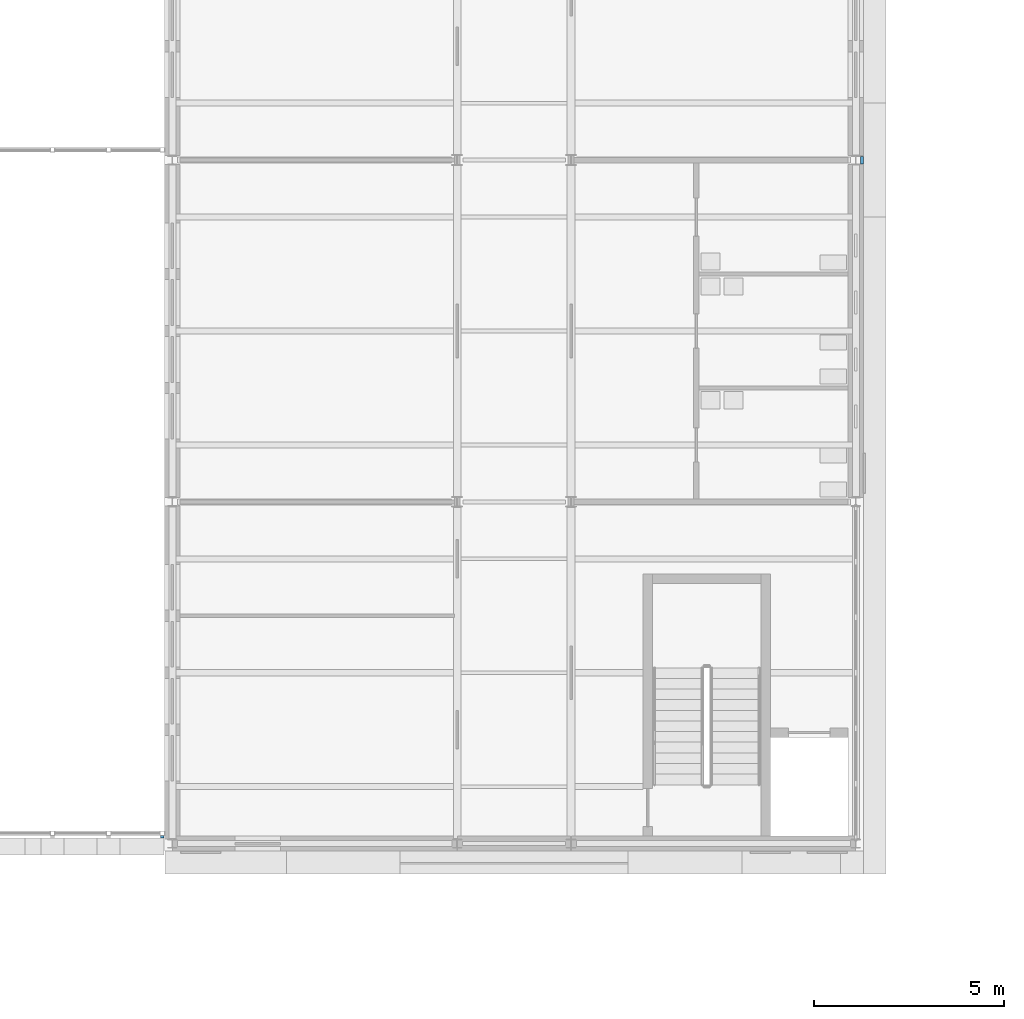
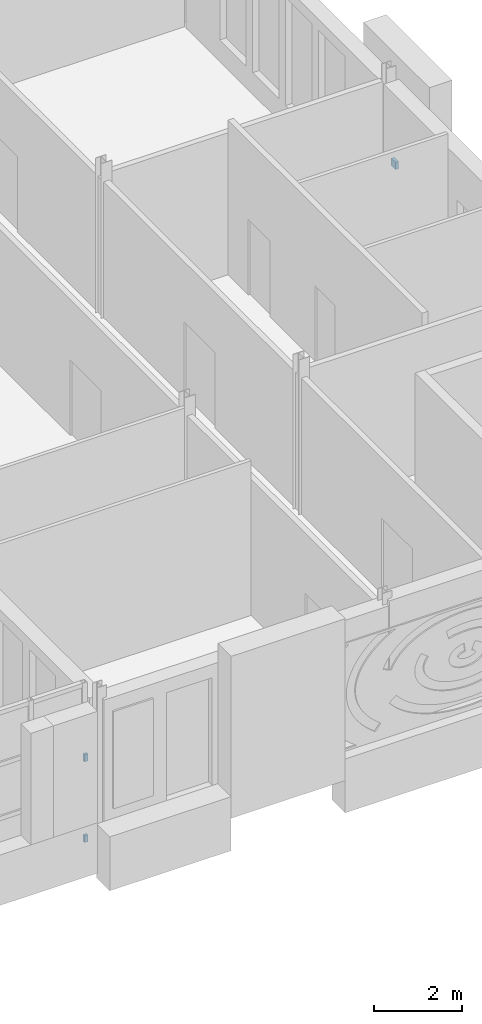
# One storey, part 102 of 131: 3 discrete accessories.
"""IFC4 building model written with IfcOpenShell, lengths in metres."""

from ifc_helpers import new_model, si_unit, direction, frame, origin, origin_2d, place, context, subcontext, project, spatial, rectangle, extrude, material, type_object, element, save


model = new_model("IFC4")

# Units and contexts
model_context = context("Model", 3, precision=1e-05, world=origin(), true_north=direction((0.0, 1.0)))
body_context = subcontext(model_context, "Body", "Model", "MODEL_VIEW")
ifc_project = project(units=[si_unit("LENGTHUNIT", "METRE"), si_unit("AREAUNIT", "SQUARE_METRE"), si_unit("VOLUMEUNIT", "CUBIC_METRE"), si_unit("PLANEANGLEUNIT", "RADIAN"), si_unit("MASSUNIT", "GRAM", prefix="KILO")], contexts=[model_context])

# Site, building, storey
site_placement = place(None, origin())
site = spatial("IfcSite", under=ifc_project, at=site_placement, CompositionType="ELEMENT")
building_placement = place(site_placement, origin())
building = spatial("IfcBuilding", under=site, at=building_placement, Name="Golden Quay Civic Hall", CompositionType="ELEMENT")
storey_placement = place(building_placement, frame((0.0, 0.0, 9.89990234375)))
storey = spatial("IfcBuildingStorey", under=building, at=storey_placement, Name="L02", CompositionType="ELEMENT", Elevation=9.89990234375)

# Discrete accessories
ifc_material_1 = material(Name="Steel S355", Category="steel")
discrete_accessory_type_1 = type_object("IfcDiscreteAccessoryType", Name="Hall screen bracket 100 x 200", PredefinedType="BRACKET", material=ifc_material_1)
for number, where, z_axis, x_axis, name in (
    (1, (98.735107421875, 0.179931640625, -0.10009765625), (0.0, 0.0, 1.0), (1.0, 0.0, 0.0), "Hall screen bracket 18"),
    (2, (98.735107421875, 0.179931640625, 2.14990234375), (0.0, 0.0, 1.0), (1.0, 0.0, 0.0), "Hall screen bracket 18"),
):
    element("IfcDiscreteAccessory", number, at=place(storey_placement, frame(where, z_axis=z_axis, x_axis=x_axis)), inside=storey, type_object=discrete_accessory_type_1, Name=name, PredefinedType="BRACKET", context=body_context, shape_type="SweptSolid", body=[
        extrude(rectangle(XDim=0.090087890625, YDim=0.06005859375, at=origin_2d()), origin(), (0.0, 0.0, 1.0), 0.199951171875),
    ])
ifc_material_2 = material(Name="Steel S355", Category="steel")
discrete_accessory_type_2 = type_object("IfcDiscreteAccessoryType", Name="Pier fixing bracket 200 x 200", PredefinedType="BRACKET", material=ifc_material_2)
discrete_accessory_placement = place(storey_placement, frame((117.159912109375, 18.0, 1.39990234375), z_axis=(0.0, 0.0, 1.0), x_axis=(0.0, 1.0, 0.0)))
element("IfcDiscreteAccessory", 3, at=discrete_accessory_placement, inside=storey, type_object=discrete_accessory_type_2, Name="Pier fixing bracket 200 x 200 L02 18", PredefinedType="BRACKET", context=body_context, shape_type="SweptSolid", body=[
    extrude(rectangle(XDim=0.199951171875, YDim=0.080078125, at=origin_2d()), origin(), (0.0, 0.0, 1.0), 0.199951171875),
])

save(model, "model.ifc")
